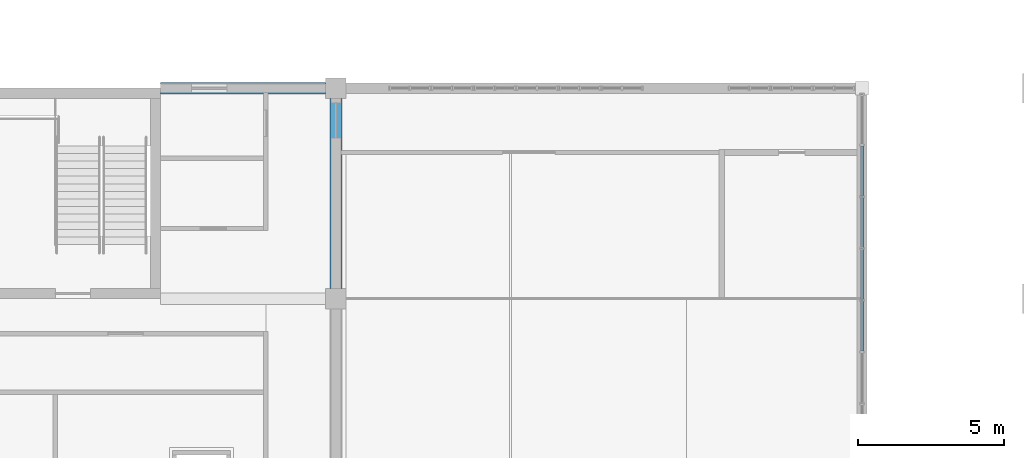
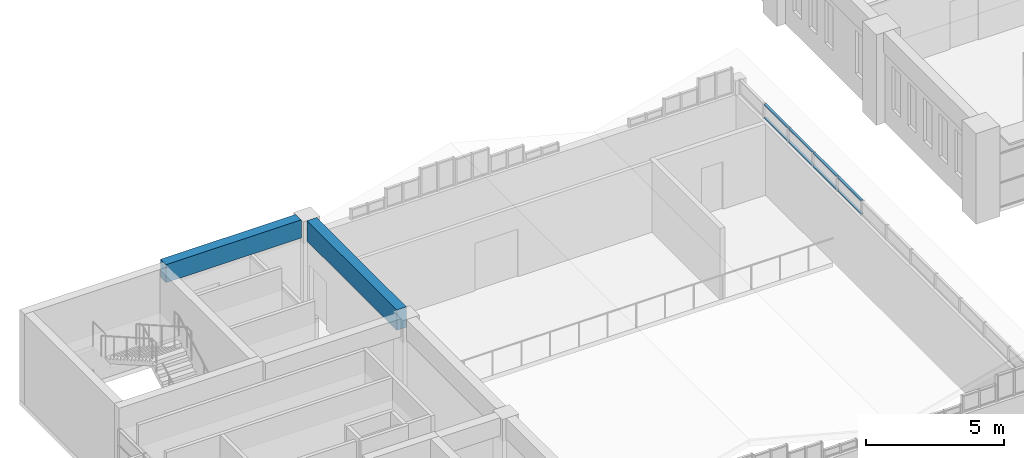
# One storey, part 26 of 92: 8 members, 2 beams, 1 element without a shape of its own.
"""IFC4 building model written with IfcOpenShell, lengths in metres."""

import ifcopenshell
import ifcopenshell.guid

model = None  # the IFC model being written
_history = None  # IfcOwnerHistory: only IFC2X3 demands one
_inside = {}  # id of a spatial element -> (the spatial element, [elements in it])
_under = {}  # id of a project, library or spatial element -> (it, [spatial elements below it])
_declared = {}  # id of a project -> (the project, [libraries it declares])
_typed = {}  # id of a type object -> (the type object, [elements of that type])
_made_of = {}  # id of a material, layer set ... -> (it, [elements and type objects made of it])


def new_model(schema):
    """Start an empty IFC model of exactly this schema.

    Asked for "IFC4X3", IfcOpenShell would pick the latest addendum, in which some entities
    have other attributes; the version numbers below select the first issue.
    IFC2X3 requires an IfcOwnerHistory on every rooted entity: one is made here for all.
    """
    global model, _history
    if schema == "IFC4X3":
        model = ifcopenshell.file(schema_version=(4, 3, 0, 0))
    else:
        model = ifcopenshell.file(schema=schema)
    _inside.clear()
    _under.clear()
    _declared.clear()
    _typed.clear()
    _made_of.clear()
    _history = None
    if model.schema == "IFC2X3":
        org = make("IfcOrganization", Name="unknown")
        user = make(
            "IfcPersonAndOrganization",
            ThePerson=make("IfcPerson", FamilyName="unknown"),
            TheOrganization=org,
        )
        app = make(
            "IfcApplication",
            ApplicationDeveloper=org,
            Version="unknown",
            ApplicationFullName="unknown",
            ApplicationIdentifier="unknown",
        )
        _history = make(
            "IfcOwnerHistory",
            OwningUser=user,
            OwningApplication=app,
            ChangeAction="ADDED",
            CreationDate=0,
        )
    return model


def make(cls, **values):
    """One entity of the class cls with the attributes given. An attribute that is None is left unset."""
    return model.create_entity(
        cls, **{name: value for name, value in values.items() if value is not None}
    )


def rooted(cls, **values):
    """An entity with a GlobalId (a new one), such as an element, a storey or a relation."""
    return make(cls, GlobalId=ifcopenshell.guid.new(), OwnerHistory=_history, **values)


def si_unit(unit_type, name, prefix=None):
    """IfcSIUnit, for example si_unit("LENGTHUNIT", "METRE", prefix="MILLI")."""
    return make("IfcSIUnit", UnitType=unit_type, Prefix=prefix, Name=name)


def assignment(units):
    """IfcUnitAssignment: the units of a project."""
    return None if units is None else make("IfcUnitAssignment", Units=units)


def point(xyz):
    """IfcCartesianPoint."""
    return None if xyz is None else make("IfcCartesianPoint", Coordinates=xyz)


def direction(xyz):
    """IfcDirection."""
    return None if xyz is None else make("IfcDirection", DirectionRatios=xyz)


def frame(location, z_axis=None, x_axis=None):
    """IfcAxis2Placement3D, a coordinate frame: its origin and axes. An axis left out is left unset."""
    return make(
        "IfcAxis2Placement3D",
        Location=point(location),
        Axis=direction(z_axis),
        RefDirection=direction(x_axis),
    )


def frame_2d(location, x_axis=None):
    """IfcAxis2Placement2D, a coordinate frame in the plane: its origin and x axis."""
    return make(
        "IfcAxis2Placement2D", Location=point(location), RefDirection=direction(x_axis)
    )


def origin():
    """The frame at (0, 0, 0) with its axes left unset."""
    return frame((0.0, 0.0, 0.0))


def origin_2d():
    """The frame at (0, 0) in the plane with its x axis left unset."""
    return frame_2d((0.0, 0.0))


def place(relative_to, where):
    """IfcLocalPlacement: puts the frame where relative to a parent placement (None: the world)."""
    return make(
        "IfcLocalPlacement", PlacementRelTo=relative_to, RelativePlacement=where
    )


def context(
    kind, dimensions, precision=None, world=None, true_north=None, identifier=None
):
    """IfcGeometricRepresentationContext, for example the 3D "Model" context."""
    return make(
        "IfcGeometricRepresentationContext",
        ContextIdentifier=identifier,
        ContextType=kind,
        CoordinateSpaceDimension=dimensions,
        Precision=precision,
        WorldCoordinateSystem=world,
        TrueNorth=true_north,
    )


def subcontext(parent, identifier, kind, view, scale=None):
    """IfcGeometricRepresentationSubContext, for example "Body" below "Model"."""
    return make(
        "IfcGeometricRepresentationSubContext",
        ContextIdentifier=identifier,
        ContextType=kind,
        ParentContext=parent,
        TargetScale=scale,
        TargetView=view,
    )


def project(units=None, contexts=None):
    """IfcProject with its units and contexts."""
    return rooted(
        "IfcProject",
        Name="project",
        RepresentationContexts=contexts,
        UnitsInContext=assignment(units),
    )


def spatial(cls, under=None, at=None, **own):
    """A site, building, storey or space (cls), placed at a placement, below another one or the project."""
    s = rooted(cls, ObjectPlacement=at, **own)
    if under is not None:
        _under.setdefault(under.id(), (under, []))[1].append(s)
    return s


def profile(cls, at=None, kind="AREA", **sizes):
    """A parametric profile (cls). Its sizes go by their IFC names, for example OverallWidth=200.0."""
    return make(cls, ProfileType=kind, Position=at, **sizes)


def rectangle(**sizes):
    """IfcRectangleProfileDef."""
    return profile("IfcRectangleProfileDef", **sizes)


def hollow_rectangle(**sizes):
    """IfcRectangleHollowProfileDef."""
    return profile("IfcRectangleHollowProfileDef", **sizes)


def extrude(swept, where, along, depth):
    """IfcExtrudedAreaSolid: the profile swept, set in the frame where, extruded along a direction by depth."""
    return make(
        "IfcExtrudedAreaSolid",
        SweptArea=swept,
        Position=where,
        ExtrudedDirection=direction(along),
        Depth=depth,
    )


def shape(context_of_items, identifier, shape_type, items):
    """IfcShapeRepresentation: the items that make up one representation, for example the "Body"."""
    return make(
        "IfcShapeRepresentation",
        ContextOfItems=context_of_items,
        RepresentationIdentifier=identifier,
        RepresentationType=shape_type,
        Items=items,
    )


def material(Name=None, Category=None):
    """IfcMaterial."""
    return make("IfcMaterial", Name=Name, Category=Category)


def material_profile(
    of_material, cross_section, Name=None, Category=None, Priority=None
):
    """IfcMaterialProfile: a cross section and its material."""
    return make(
        "IfcMaterialProfile",
        Name=Name,
        Material=of_material,
        Profile=cross_section,
        Priority=Priority,
        Category=Category,
    )


def profile_set(profiles, Name=None, composite=None):
    """IfcMaterialProfileSet."""
    return make(
        "IfcMaterialProfileSet",
        Name=Name,
        MaterialProfiles=profiles,
        CompositeProfile=composite,
    )


def made_of(thing, what):
    """Note that an element or type object is made of a material, layer set ...; save() writes the relation."""
    if what is not None:
        _made_of.setdefault(what.id(), (what, []))[1].append(thing)
    return thing


def type_object(cls, material=None, **own):
    """A type object (cls), such as IfcWallType, which elements share."""
    return made_of(rooted(cls, **own), material)


def element(
    cls,
    number,
    at=None,
    inside=None,
    cuts=None,
    type_object=None,
    material=None,
    context=None,
    identifier="Body",
    shape_type=None,
    held_by="IfcProductDefinitionShape",
    body=None,
    shapes=None,
    **own,
):
    """One element of the class cls, such as IfcWall. Its Tag is "e" and its number.

    at: its placement. inside: the storey or other place that contains it. cuts: it is an
    opening in that element (IfcRelVoidsElement). A single representation is given by context,
    identifier, shape_type and body (its items); several are given by shapes. held_by: the class
    of the entity that holds the representations. save() writes the other relations.
    """
    e = rooted(cls, Tag="e%d" % number, ObjectPlacement=at, **own)
    if body is not None:
        shapes = [shape(context, identifier, shape_type, body)]
    if shapes is not None:
        e.Representation = make(held_by, Representations=shapes)
    if inside is not None:
        _inside.setdefault(inside.id(), (inside, []))[1].append(e)
    if cuts is not None:
        rooted(
            "IfcRelVoidsElement", RelatingBuildingElement=cuts, RelatedOpeningElement=e
        )
    if type_object is not None:
        _typed.setdefault(type_object.id(), (type_object, []))[1].append(e)
    return made_of(e, material)


def aggregate(whole, parts):
    """IfcRelAggregates: a whole, such as a stair, and the parts it consists of."""
    return rooted("IfcRelAggregates", RelatingObject=whole, RelatedObjects=parts)


def save(model, path):
    """Write the relations noted so far, then the file.

    IfcRelAggregates (storeys below a building ...), IfcRelContainedInSpatialStructure (elements
    in a storey), IfcRelDefinesByType, IfcRelAssociatesMaterial and IfcRelDeclares: one each for
    every whole, place, type object, material and project.
    """
    for whole, parts in _under.values():
        aggregate(whole, parts)
    for where, things in _inside.values():
        rooted(
            "IfcRelContainedInSpatialStructure",
            RelatedElements=things,
            RelatingStructure=where,
        )
    for kind, things in _typed.values():
        rooted("IfcRelDefinesByType", RelatedObjects=things, RelatingType=kind)
    for what, things in _made_of.values():
        rooted("IfcRelAssociatesMaterial", RelatedObjects=things, RelatingMaterial=what)
    for by, libraries in _declared.values():
        rooted("IfcRelDeclares", RelatingContext=by, RelatedDefinitions=libraries)
    model.write(path)


model = new_model("IFC4")

# Units and contexts
model_context = context("Model", 3, precision=1e-05, world=origin(), true_north=direction((0.0, 1.0)))
body_context = subcontext(model_context, "Body", "Model", "MODEL_VIEW")
ifc_project = project(units=[si_unit("LENGTHUNIT", "METRE"), si_unit("AREAUNIT", "SQUARE_METRE"), si_unit("VOLUMEUNIT", "CUBIC_METRE"), si_unit("PLANEANGLEUNIT", "RADIAN"), si_unit("MASSUNIT", "GRAM", prefix="KILO")], contexts=[model_context])

# Site, building, storey
site_placement = place(None, origin())
site = spatial("IfcSite", under=ifc_project, at=site_placement, CompositionType="ELEMENT")
building_placement = place(site_placement, origin())
building = spatial("IfcBuilding", under=site, at=building_placement, Name="Laocheng Heights Fire and Rescue Headquarters", CompositionType="ELEMENT")
storey_placement = place(building_placement, frame((0.0, 0.0, 12.60009765625)))
storey = spatial("IfcBuildingStorey", under=building, at=storey_placement, Name="L03", CompositionType="ELEMENT", Elevation=12.60009765625)

# Curtain wall, members
ifc_material_1 = material(Name="Dark anodised aluminium unitised curtain wall, low-e double glazing", Category="aluminium")
curtain_wall_type = type_object("IfcCurtainWallType", Name="CW 21250 x 636 THEATRE CLERESTORY", PredefinedType="NOTDEFINED", material=ifc_material_1)
curtain_wall_placement = place(storey_placement, origin())
curtain_wall = element("IfcCurtainWall", 1, at=curtain_wall_placement, inside=storey, type_object=curtain_wall_type, Name="X5-V THEATRE CLERESTORY EAST", PredefinedType="NOTDEFINED")
ifc_material_2 = material(Name="Dark anodised aluminium 6063-T5 extrusion", Category="aluminium")
ifc_material_profile_1 = material_profile(ifc_material_2, hollow_rectangle(XDim=0.10009765625, YDim=0.050048828125, WallThickness=0.0029296875, at=origin_2d()), Name="AL TRANSOM 100x50x3 THEATRE CLERESTORY")
ifc_profile_set_1 = profile_set([ifc_material_profile_1], Name="Dark anodised aluminium 6063-T5 extrusion")
member_type = type_object("IfcMemberType", Name="AL TRANSOM 100x50x3 THEATRE CLERESTORY", PredefinedType="USERDEFINED", material=ifc_profile_set_1)
member_1_placement = place(storey_placement, frame((30.0, 48.600830078125, 3.1748046875), z_axis=(0.0, 1.0, 0.0), x_axis=(-1.0, 0.0, 0.0)))
member_1 = element("IfcMember", 2, at=member_1_placement, type_object=member_type, Name="X5-V transom 8.1", ObjectType="TRANSOM", PredefinedType="USERDEFINED", context=body_context, shape_type="SweptSolid", body=[
    extrude(hollow_rectangle(XDim=0.10009765625, YDim=0.050048828125, WallThickness=0.0029296875, at=origin_2d()), origin(), (0.0, 0.0, 1.0), 1.7109375),
])
member_2_placement = place(storey_placement, frame((30.0, 48.600830078125, 3.76123046875), z_axis=(0.0, 1.0, 0.0), x_axis=(-1.0, 0.0, 0.0)))
member_2 = element("IfcMember", 3, at=member_2_placement, type_object=member_type, Name="X5-V transom 8.2", ObjectType="TRANSOM", PredefinedType="USERDEFINED", context=body_context, shape_type="SweptSolid", body=[
    extrude(hollow_rectangle(XDim=0.10009765625, YDim=0.050048828125, WallThickness=0.0029296875, at=origin_2d()), origin(), (0.0, 0.0, 1.0), 1.7109375),
])
member_3_placement = place(storey_placement, frame((30.0, 50.37158203125, 3.1748046875), z_axis=(0.0, 1.0, 0.0), x_axis=(-1.0, 0.0, 0.0)))
member_3 = element("IfcMember", 4, at=member_3_placement, type_object=member_type, Name="X5-V transom 9.1", ObjectType="TRANSOM", PredefinedType="USERDEFINED", context=body_context, shape_type="SweptSolid", body=[
    extrude(hollow_rectangle(XDim=0.10009765625, YDim=0.050048828125, WallThickness=0.0029296875, at=origin_2d()), origin(), (0.0, 0.0, 1.0), 1.7109375),
])
member_4_placement = place(storey_placement, frame((30.0, 50.37158203125, 3.76123046875), z_axis=(0.0, 1.0, 0.0), x_axis=(-1.0, 0.0, 0.0)))
member_4 = element("IfcMember", 5, at=member_4_placement, type_object=member_type, Name="X5-V transom 9.2", ObjectType="TRANSOM", PredefinedType="USERDEFINED", context=body_context, shape_type="SweptSolid", body=[
    extrude(hollow_rectangle(XDim=0.10009765625, YDim=0.050048828125, WallThickness=0.0029296875, at=origin_2d()), origin(), (0.0, 0.0, 1.0), 1.7109375),
])
member_5_placement = place(storey_placement, frame((30.0, 52.142578125, 3.1748046875), z_axis=(0.0, 1.0, 0.0), x_axis=(-1.0, 0.0, 0.0)))
member_5 = element("IfcMember", 6, at=member_5_placement, type_object=member_type, Name="X5-V transom 10.1", ObjectType="TRANSOM", PredefinedType="USERDEFINED", context=body_context, shape_type="SweptSolid", body=[
    extrude(hollow_rectangle(XDim=0.10009765625, YDim=0.050048828125, WallThickness=0.0029296875, at=origin_2d()), origin(), (0.0, 0.0, 1.0), 1.710693359375),
])
member_6_placement = place(storey_placement, frame((30.0, 52.142578125, 3.76123046875), z_axis=(0.0, 1.0, 0.0), x_axis=(-1.0, 0.0, 0.0)))
member_6 = element("IfcMember", 7, at=member_6_placement, type_object=member_type, Name="X5-V transom 10.2", ObjectType="TRANSOM", PredefinedType="USERDEFINED", context=body_context, shape_type="SweptSolid", body=[
    extrude(hollow_rectangle(XDim=0.10009765625, YDim=0.050048828125, WallThickness=0.0029296875, at=origin_2d()), origin(), (0.0, 0.0, 1.0), 1.710693359375),
])
member_7_placement = place(storey_placement, frame((30.0, 53.913330078125, 3.1748046875), z_axis=(0.0, 1.0, 0.0), x_axis=(-1.0, 0.0, 0.0)))
member_7 = element("IfcMember", 8, at=member_7_placement, type_object=member_type, Name="X5-V transom 11.1", ObjectType="TRANSOM", PredefinedType="USERDEFINED", context=body_context, shape_type="SweptSolid", body=[
    extrude(hollow_rectangle(XDim=0.10009765625, YDim=0.050048828125, WallThickness=0.0029296875, at=origin_2d()), origin(), (0.0, 0.0, 1.0), 1.7109375),
])
member_8_placement = place(storey_placement, frame((30.0, 53.913330078125, 3.76123046875), z_axis=(0.0, 1.0, 0.0), x_axis=(-1.0, 0.0, 0.0)))
member_8 = element("IfcMember", 9, at=member_8_placement, type_object=member_type, Name="X5-V transom 11.2", ObjectType="TRANSOM", PredefinedType="USERDEFINED", context=body_context, shape_type="SweptSolid", body=[
    extrude(hollow_rectangle(XDim=0.10009765625, YDim=0.050048828125, WallThickness=0.0029296875, at=origin_2d()), origin(), (0.0, 0.0, 1.0), 1.7109375),
])
aggregate(curtain_wall, [member_1, member_2, member_3, member_4, member_5, member_6, member_7, member_8])

# Beams
ifc_material_3 = material(Name="Concrete C40", Category="concrete")
ifc_material_profile_2 = material_profile(ifc_material_3, rectangle(XDim=0.39990234375, YDim=0.800048828125, at=origin_2d()), Name="RC BEAM 400x800 FOYER")
ifc_profile_set_2 = profile_set([ifc_material_profile_2], Name="Concrete C40")
beam_type_1 = type_object("IfcBeamType", Name="RC BEAM 400x800 FOYER", PredefinedType="BEAM", material=ifc_profile_set_2)
beam_1_placement = place(storey_placement, frame((6.0, 57.60009765625, 3.599853515625), z_axis=(1.0, 0.0, 0.0), x_axis=(0.0, 1.0, 0.0)))
element("IfcBeam", 10, at=beam_1_placement, inside=storey, type_object=beam_type_1, Name="Foyer beam L03", PredefinedType="BEAM", context=body_context, shape_type="SweptSolid", body=[
    extrude(rectangle(XDim=0.39990234375, YDim=0.800048828125, at=origin_2d()), origin(), (0.0, 0.0, 1.0), 5.64990234375),
])
ifc_material_4 = material(Name="Concrete C40", Category="concrete")
ifc_material_profile_3 = material_profile(ifc_material_4, rectangle(XDim=0.39990234375, YDim=0.89990234375, at=origin_2d()), Name="RC BEAM 400x900 FOYER")
ifc_profile_set_3 = profile_set([ifc_material_profile_3], Name="Concrete C40")
beam_type_2 = type_object("IfcBeamType", Name="RC BEAM 400x900 FOYER", PredefinedType="BEAM", material=ifc_profile_set_3)
beam_2_placement = place(storey_placement, frame((12.0, 50.75, 3.5498046875), z_axis=(0.0, 1.0, 0.0), x_axis=(-1.0, 0.0, 0.0)))
element("IfcBeam", 11, at=beam_2_placement, inside=storey, type_object=beam_type_2, Name="Foyer beam L03", PredefinedType="BEAM", context=body_context, shape_type="SweptSolid", body=[
    extrude(rectangle(XDim=0.39990234375, YDim=0.89990234375, at=origin_2d()), origin(), (0.0, 0.0, 1.0), 6.5),
])

save(model, "model.ifc")
